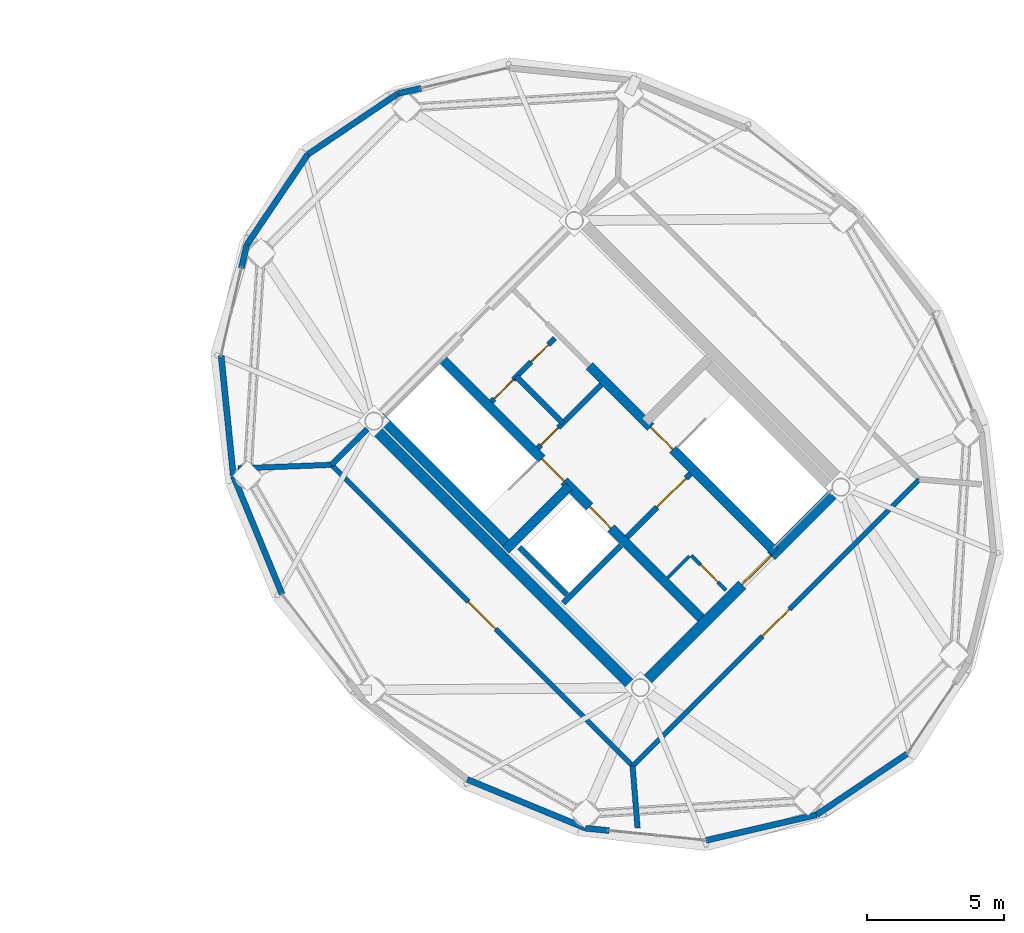
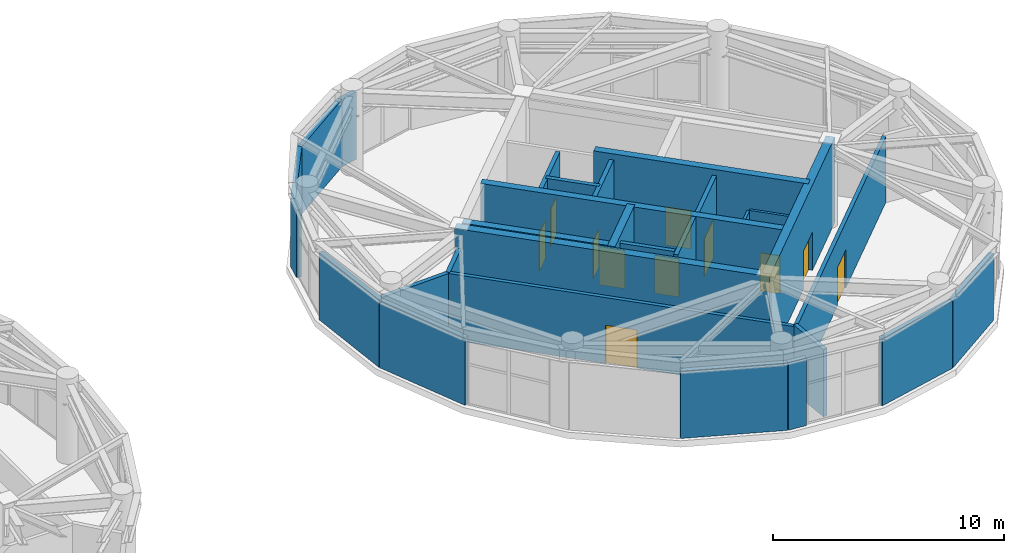
# One storey, part 24 of 26: 29 walls, 11 doors, 11 openings.
"""IFC4 building model written with IfcOpenShell, lengths in metres."""

from ifc_helpers import new_model, si_unit, direction, frame, frame_2d, origin, place, context, subcontext, project, spatial, rectangle, extrude, source, transform, mapped, material, layer, layer_set, type_object, element, fill, save


model = new_model("IFC4")

# Units and contexts
model_context = context("Model", 3, precision=1e-05, world=origin(), true_north=direction((0.0, 1.0)))
body_context = subcontext(model_context, "Body", "Model", "MODEL_VIEW")
ifc_project = project(units=[si_unit("LENGTHUNIT", "METRE"), si_unit("AREAUNIT", "SQUARE_METRE"), si_unit("VOLUMEUNIT", "CUBIC_METRE"), si_unit("PLANEANGLEUNIT", "RADIAN"), si_unit("MASSUNIT", "GRAM", prefix="KILO")], contexts=[model_context])

# Site, building, storey
site_placement = place(None, origin())
site = spatial("IfcSite", under=ifc_project, at=site_placement, CompositionType="ELEMENT")
building_placement = place(site_placement, origin())
building = spatial("IfcBuilding", under=site, at=building_placement, Name="Cununo Teusaquillo Station Towers", CompositionType="ELEMENT")
storey_placement = place(building_placement, frame((0.0, 0.0, 240.330078125)))
storey = spatial("IfcBuildingStorey", under=building, at=storey_placement, Name="L76", CompositionType="ELEMENT", Elevation=240.330078125)

# Walls
ifc_material_1 = material(Name="Concrete C50/60", Category="concrete")
ifc_layer_1 = layer(ifc_material_1, 0.199951171875)
ifc_layer_set_1 = layer_set([ifc_layer_1], Name="Concrete C50/60")
wall_type_1 = type_object("IfcWallType", Name="WL-CORE-200", PredefinedType="SHEAR", material=ifc_layer_set_1)
wall_1_placement = place(storey_placement, frame((55.8876953125, 19.0693359375, 0.0), z_axis=(0.0, 0.0, 1.0), x_axis=(0.707106781187, 0.707106781187, 0.0)))
element("IfcWall", 1, at=wall_1_placement, inside=storey, type_object=wall_type_1, Name="L76 Tower B Firefighting Lift Shaft South Shear Wall", PredefinedType="SHEAR", context=body_context, shape_type="SweptSolid", body=[
    extrude(rectangle(XDim=2.969970703125, YDim=0.199951171875, at=frame_2d((1.48486328125, 0.0))), origin(), (0.0, 0.0, 1.0), 4.5),
])
wall_2_placement = place(storey_placement, frame((56.01513671875, 19.366455078125, 0.0), z_axis=(0.0, 0.0, 1.0), x_axis=(-0.707106781187, 0.707106781187, 0.0)))
element("IfcWall", 2, at=wall_2_placement, inside=storey, type_object=wall_type_1, Name="L76 Tower B Firefighting Lift Shaft Rear Shear Wall", PredefinedType="SHEAR", context=body_context, shape_type="SweptSolid", body=[
    extrude(rectangle(XDim=2.43994140625, YDim=0.199951171875, at=frame_2d((1.219970703125, 0.0))), origin(), (0.0, 0.0, 1.0), 4.5),
])

# Wall, openings, doors
ifc_material_2 = material(Name="Concrete C50/60", Category="concrete")
ifc_layer_2 = layer(ifc_material_2, 0.35009765625)
ifc_layer_set_2 = layer_set([ifc_layer_2], Name="Concrete C50/60")
wall_type_2 = type_object("IfcWallType", Name="WL-CORE-350", PredefinedType="SHEAR", material=ifc_layer_set_2)
wall_3_placement = place(storey_placement, frame((61.060302734375, 18.372802734375, 0.0), z_axis=(0.0, 0.0, 1.0), x_axis=(-0.707106781187, 0.707106781187, 0.0)))
wall_3 = element("IfcWall", 3, at=wall_3_placement, inside=storey, type_object=wall_type_2, Name="L76 Tower B Core Shear Wall IW", PredefinedType="SHEAR", context=body_context, shape_type="SweptSolid", body=[
    extrude(rectangle(XDim=13.7001953125, YDim=0.35009765625, at=frame_2d((6.85009765625, 0.0))), origin(), (0.0, 0.0, 1.0), 4.5),
])
shared_shape_1 = source(origin(), body_context, "Body", "SweptSolid", [
    extrude(rectangle(XDim=1.10009765625, YDim=2.014892578125, at=frame_2d((0.550048828125, 1.00732421875))), frame((0.0, 0.18505859375, 0.0), z_axis=(0.0, -1.0, 0.0), x_axis=(1.0, 0.0, 0.0)), (0.0, 0.0, 1.0), 0.3701171875),
])
opening_1_placement = place(wall_3_placement, frame((4.85009765625, 0.0, 0.0)))
opening_1 = element("IfcOpeningElement", 4, at=opening_1_placement, cuts=wall_3, Name="Opening LD-01", PredefinedType="OPENING", context=body_context, shape_type="MappedRepresentation", body=[
    mapped(shared_shape_1, transform((0.0, 0.0, 0.0), x_axis=(1.0, 0.0, 0.0), y_axis=(0.0, 1.0, 0.0), z_axis=(0.0, 0.0, 1.0), scale=1.0)),
])
shared_shape_2 = source(origin(), body_context, "Body", "SweptSolid", [
    extrude(rectangle(XDim=1.14990234375, YDim=2.02001953125, at=frame_2d((0.574951171875, 1.010009765625))), frame((0.0, 0.18505859375, 0.0), z_axis=(0.0, -1.0, 0.0), x_axis=(1.0, 0.0, 0.0)), (0.0, 0.0, 1.0), 0.3701171875),
])
opening_2_placement = place(wall_3_placement, frame((7.27001953125, 0.0, 0.0)))
opening_2 = element("IfcOpeningElement", 5, at=opening_2_placement, cuts=wall_3, Name="Opening D-ST1", PredefinedType="OPENING", context=body_context, shape_type="MappedRepresentation", body=[
    mapped(shared_shape_2, transform((0.0, 0.0, 0.0), x_axis=(1.0, 0.0, 0.0), y_axis=(0.0, 1.0, 0.0), z_axis=(0.0, 0.0, 1.0), scale=1.0)),
])
ifc_material_3 = material(Name="Galvanised fire-rated hollow steel door assembly", Category="steel")
door_type_1 = type_object("IfcDoorType", Name="DR-LIFT-1100", OperationType="SLIDING_TO_LEFT", PredefinedType="DOOR", material=ifc_material_3)
shared_shape_3 = source(origin(), body_context, "Body", "SweptSolid", [
    extrude(rectangle(XDim=1.10009765625, YDim=2.014892578125, at=frame_2d((0.550048828125, 1.00732421875))), frame((0.0, 0.02490234375, 0.0), z_axis=(0.0, -1.0, 0.0), x_axis=(1.0, 0.0, 0.0)), (0.0, 0.0, 1.0), 0.050048828125),
])
door_1_placement = place(opening_1_placement, origin())
door_1 = element("IfcDoor", 6, at=door_1_placement, inside=storey, type_object=door_type_1, Name="L76 Lift FL-T2 Sliding Landing Door", OperationType="SLIDING_TO_RIGHT", OverallHeight=2.014892578125, OverallWidth=1.10009765625, PredefinedType="DOOR", context=body_context, shape_type="MappedRepresentation", body=[
    mapped(shared_shape_3, transform((0.0, 0.0, 0.0), x_axis=(1.0, 0.0, 0.0), y_axis=(0.0, 1.0, 0.0), z_axis=(0.0, 0.0, 1.0), scale=1.0)),
])
fill(opening_1, door_1)
ifc_material_4 = material(Name="Galvanised fire-rated hollow steel door assembly", Category="steel")
door_type_2 = type_object("IfcDoorType", Name="DR-STAIR-1150", OperationType="NOTDEFINED", PredefinedType="DOOR", material=ifc_material_4)
shared_shape_4 = source(origin(), body_context, "Body", "SweptSolid", [
    extrude(rectangle(XDim=1.14990234375, YDim=2.02001953125, at=frame_2d((0.574951171875, 1.010009765625))), frame((0.0, 0.02490234375, 0.0), z_axis=(0.0, -1.0, 0.0), x_axis=(1.0, 0.0, 0.0)), (0.0, 0.0, 1.0), 0.050048828125),
])
door_2_placement = place(opening_2_placement, origin())
door_2 = element("IfcDoor", 7, at=door_2_placement, inside=storey, type_object=door_type_2, Name="L76 Tower B Exit Stair 1 Fire Door", OperationType="SINGLE_SWING_RIGHT", OverallHeight=2.02001953125, OverallWidth=1.14990234375, PredefinedType="DOOR", context=body_context, shape_type="MappedRepresentation", body=[
    mapped(shared_shape_4, transform((0.0, 0.0, 0.0), x_axis=(1.0, 0.0, 0.0), y_axis=(0.0, 1.0, 0.0), z_axis=(0.0, 0.0, 1.0), scale=1.0)),
])
fill(opening_2, door_2)

# Wall, opening, door
wall_4_placement = place(storey_placement, frame((63.627197265625, 20.939697265625, 0.0), z_axis=(0.0, 0.0, 1.0), x_axis=(-0.707119496762, 0.707094065383, 0.0)))
wall_4 = element("IfcWall", 8, at=wall_4_placement, inside=storey, type_object=wall_type_2, Name="L76 Tower B Core Shear Wall IE", PredefinedType="SHEAR", context=body_context, shape_type="SweptSolid", body=[
    extrude(rectangle(XDim=9.60009765625, YDim=0.35009765625, at=frame_2d((4.800048828125, 0.0))), origin(), (0.0, 0.0, 1.0), 4.5),
])
opening_3_placement = place(wall_4_placement, frame((5.280029296875, 0.0, 0.0)))
opening_3 = element("IfcOpeningElement", 9, at=opening_3_placement, cuts=wall_4, Name="Opening D-ST1", PredefinedType="OPENING", context=body_context, shape_type="MappedRepresentation", body=[
    mapped(shared_shape_2, transform((0.0, 0.0, 0.0), x_axis=(1.0, 0.0, 0.0), y_axis=(0.0, 1.0, 0.0), z_axis=(0.0, 0.0, 1.0), scale=1.0)),
])
door_3_placement = place(opening_3_placement, origin())
door_3 = element("IfcDoor", 10, at=door_3_placement, inside=storey, type_object=door_type_2, Name="L76 Tower B Exit Stair 2 Fire Door", OperationType="SINGLE_SWING_LEFT", OverallHeight=2.02001953125, OverallWidth=1.14990234375, PredefinedType="DOOR", context=body_context, shape_type="MappedRepresentation", body=[
    mapped(shared_shape_4, transform((0.0, 0.0, 0.0), x_axis=(1.0, 0.0, 0.0), y_axis=(0.0, 1.0, 0.0), z_axis=(0.0, 0.0, 1.0), scale=1.0)),
])
fill(opening_3, door_3)

# Walls
wall_5_placement = place(storey_placement, frame((53.922119140625, 21.14111328125, 0.0), z_axis=(0.0, 0.0, 1.0), x_axis=(-0.707106781187, 0.707106781187, 0.0)))
element("IfcWall", 11, at=wall_5_placement, inside=storey, type_object=wall_type_2, Name="L76 Tower B Core Shear Wall ST1W", PredefinedType="SHEAR", context=body_context, shape_type="SweptSolid", body=[
    extrude(rectangle(XDim=6.695068359375, YDim=0.35009765625, at=frame_2d((3.34765625, 0.0))), origin(), (0.0, 0.0, 1.0), 4.5),
])
wall_6_placement = place(storey_placement, frame((53.7841796875, 21.00341796875, 0.0), z_axis=(0.0, 0.0, 1.0), x_axis=(0.707106781187, 0.707106781187, 0.0)))
element("IfcWall", 12, at=wall_6_placement, inside=storey, type_object=wall_type_2, Name="L76 Tower B Core Shear Wall ST1S", PredefinedType="SHEAR", context=body_context, shape_type="SweptSolid", body=[
    extrude(rectangle(XDim=3.284912109375, YDim=0.35009765625, at=frame_2d((1.642578125, 0.0))), origin(), (0.0, 0.0, 1.0), 4.5),
])
ifc_material_5 = material(Name="Concrete C50/60", Category="concrete")
ifc_layer_3 = layer(ifc_material_5, 0.39990234375)
ifc_layer_set_3 = layer_set([ifc_layer_3], Name="Concrete C50/60")
wall_type_3 = type_object("IfcWallType", Name="WL-CORE-400", PredefinedType="SHEAR", material=ifc_layer_set_3)
wall_7_placement = place(storey_placement, frame((58.7021484375, 15.73193359375, 0.0), z_axis=(0.0, 0.0, 1.0), x_axis=(-0.707106781187, 0.707106781187, 0.0)))
element("IfcWall", 13, at=wall_7_placement, inside=storey, type_object=wall_type_3, Name="L76 Tower B Core Shear Wall W", PredefinedType="SHEAR", context=body_context, shape_type="SweptSolid", body=[
    extrude(rectangle(XDim=14.10009765625, YDim=0.39990234375, at=frame_2d((7.050048828125, 0.0))), origin(), (0.0, 0.0, 1.0), 4.5),
])

# Wall, opening, door
wall_8_placement = place(storey_placement, frame((58.560791015625, 15.873291015625, 0.0), z_axis=(0.0, 0.0, 1.0), x_axis=(0.707106781187, 0.707106781187, 0.0)))
wall_8 = element("IfcWall", 14, at=wall_8_placement, inside=storey, type_object=wall_type_3, Name="L76 Tower B Core Shear Wall S", PredefinedType="SHEAR", context=body_context, shape_type="SweptSolid", body=[
    extrude(rectangle(XDim=10.69970703125, YDim=0.39990234375, at=frame_2d((5.349853515625, 0.0))), origin(), (0.0, 0.0, 1.0), 4.5),
])
shared_shape_5 = source(origin(), body_context, "Body", "SweptSolid", [
    extrude(rectangle(XDim=1.5, YDim=2.02001953125, at=frame_2d((0.75, 1.010009765625))), frame((0.0, 0.2099609375, 0.0), z_axis=(0.0, -1.0, 0.0), x_axis=(1.0, 0.0, 0.0)), (0.0, 0.0, 1.0), 0.419921875),
])
opening_4_placement = place(wall_8_placement, frame((5.449951171875, 0.0, 0.0)))
opening_4 = element("IfcOpeningElement", 15, at=opening_4_placement, cuts=wall_8, Name="Opening D-LB1", PredefinedType="OPENING", context=body_context, shape_type="MappedRepresentation", body=[
    mapped(shared_shape_5, transform((0.0, 0.0, 0.0), x_axis=(1.0, 0.0, 0.0), y_axis=(0.0, 1.0, 0.0), z_axis=(0.0, 0.0, 1.0), scale=1.0)),
])
ifc_material_6 = material(Name="Galvanised fire-rated hollow steel door assembly", Category="steel")
door_type_3 = type_object("IfcDoorType", Name="DR-LOBBY-1500", OperationType="DOUBLE_DOOR_SINGLE_SWING", PredefinedType="DOOR", material=ifc_material_6)
shared_shape_6 = source(origin(), body_context, "Body", "SweptSolid", [
    extrude(rectangle(XDim=1.5, YDim=2.02001953125, at=frame_2d((0.75, 1.010009765625))), frame((0.0, 0.02490234375, 0.0), z_axis=(0.0, -1.0, 0.0), x_axis=(1.0, 0.0, 0.0)), (0.0, 0.0, 1.0), 0.050048828125),
])
door_4_placement = place(opening_4_placement, origin())
door_4 = element("IfcDoor", 16, at=door_4_placement, inside=storey, type_object=door_type_3, Name="L76 Tower B South Core Lift Lobby Door", OperationType="DOUBLE_DOOR_SINGLE_SWING", OverallHeight=2.02001953125, OverallWidth=1.5, PredefinedType="DOOR", context=body_context, shape_type="MappedRepresentation", body=[
    mapped(shared_shape_6, transform((0.0, 0.0, 0.0), x_axis=(1.0, 0.0, 0.0), y_axis=(0.0, 1.0, 0.0), z_axis=(0.0, 0.0, 1.0), scale=1.0)),
])
fill(opening_4, door_4)

# Walls
ifc_material_7 = material(Name="Precast concrete C40/50", Category="concrete")
ifc_layer_4 = layer(ifc_material_7, 0.219970703125)
ifc_layer_set_4 = layer_set([ifc_layer_4], Name="Precast concrete C40/50")
wall_type_4 = type_object("IfcWallType", Name="WL-EXT-220", PredefinedType="SOLIDWALL", material=ifc_layer_set_4)
wall_9_placement = place(storey_placement, frame((49.856201171875, 37.663330078125, 0.0), z_axis=(0.0, 0.0, 1.0), x_axis=(0.974220668664, 0.22559718249, 0.0)))
element("IfcWall", 17, at=wall_9_placement, inside=storey, type_object=wall_type_4, Name="L76 Tower B Crown Drum Pier Cassette C03-PA", PredefinedType="SOLIDWALL", context=body_context, shape_type="SweptSolid", body=[
    extrude(rectangle(XDim=0.8701171875, YDim=0.219970703125, at=frame_2d((0.43505859375, 0.0))), origin(), (0.0, 0.0, 1.0), 3.555908203125),
])
for number, where, z_axis, x_axis, name in (
    (18, (46.56103515625, 35.43896484375, 0.0), (0.0, 0.0, 1.0), (0.828833723692, 0.559495003079, 0.0), "L76 Tower B Crown Drum Spandrel Cassette C04"),
    (19, (44.336669921875, 32.143798828125, 0.0), (0.0, 0.0, 1.0), (0.559495003079, 0.828833723692, 0.0), "L76 Tower B Crown Drum Spandrel Cassette C05"),
):
    element("IfcWall", number, at=place(storey_placement, frame(where, z_axis=z_axis, x_axis=x_axis)), inside=storey, type_object=wall_type_4, Name=name, PredefinedType="SOLIDWALL", context=body_context, shape_type="SweptSolid", body=[
        extrude(rectangle(XDim=3.9755859375, YDim=0.219970703125, at=frame_2d((1.98779296875, 0.0))), origin(), (0.0, 0.0, 1.0), 3.555908203125),
    ])
wall_10_placement = place(storey_placement, frame((44.140380859375, 31.296142578125, 0.0), z_axis=(0.0, 0.0, 1.0), x_axis=(0.22559718249, 0.974220668664, 0.0)))
element("IfcWall", 20, at=wall_10_placement, inside=storey, type_object=wall_type_4, Name="L76 Tower B Crown Drum Pier Cassette C06-PB", PredefinedType="SOLIDWALL", context=body_context, shape_type="SweptSolid", body=[
    extrude(rectangle(XDim=0.8701171875, YDim=0.219970703125, at=frame_2d((0.43505859375, 0.0))), origin(), (0.0, 0.0, 1.0), 3.555908203125),
])
wall_11_placement = place(storey_placement, frame((43.84521484375, 23.70458984375, 0.0), z_axis=(0.0, 0.0, 1.0), x_axis=(-0.100570534541, 0.994929930991, 0.0)))
element("IfcWall", 21, at=wall_11_placement, inside=storey, type_object=wall_type_4, Name="L76 Tower B Crown Drum Spandrel Cassette C07", PredefinedType="SOLIDWALL", context=body_context, shape_type="SweptSolid", body=[
    extrude(rectangle(XDim=4.418212890625, YDim=0.219970703125, at=frame_2d((2.208984375, 0.0))), origin(), (0.0, 0.0, 1.0), 3.555908203125),
])
for number, where, z_axis, x_axis, name in (
    (22, (45.626220703125, 19.38671875, 0.0), (0.0, 0.0, 1.0), (-0.381309704956, 0.924447353237, 0.0), "L76 Tower B Crown Drum Spandrel Cassette C08"),
    (23, (56.70458984375, 10.84521484375, 0.0), (0.0, 0.0, 1.0), (-0.924447353237, 0.381309704956, 0.0), "L76 Tower B Crown Drum Spandrel Cassette C11"),
):
    element("IfcWall", number, at=place(storey_placement, frame(where, z_axis=z_axis, x_axis=x_axis)), inside=storey, type_object=wall_type_4, Name=name, PredefinedType="SOLIDWALL", context=body_context, shape_type="SweptSolid", body=[
        extrude(rectangle(XDim=4.670654296875, YDim=0.219970703125, at=frame_2d((2.33544921875, 0.0))), origin(), (0.0, 0.0, 1.0), 3.555908203125),
    ])
wall_12_placement = place(storey_placement, frame((57.5703125, 10.757568359375, 0.0), z_axis=(0.0, 0.0, 1.0), x_axis=(-0.994914209363, 0.100725945054, 0.0)))
element("IfcWall", 24, at=wall_12_placement, inside=storey, type_object=wall_type_4, Name="L76 Tower B Crown Drum Pier Cassette C12-PB", PredefinedType="SOLIDWALL", context=body_context, shape_type="SweptSolid", body=[
    extrude(rectangle(XDim=0.8701171875, YDim=0.219970703125, at=frame_2d((0.43505859375, 0.0))), origin(), (0.0, 0.0, 1.0), 3.555908203125),
])
wall_13_placement = place(storey_placement, frame((65.143798828125, 11.336669921875, 0.0), z_axis=(0.0, 0.0, 1.0), x_axis=(-0.974249228678, -0.225473813158, 0.0)))
element("IfcWall", 25, at=wall_13_placement, inside=storey, type_object=wall_type_4, Name="L76 Tower B Crown Drum Spandrel Cassette C13", PredefinedType="SOLIDWALL", context=body_context, shape_type="SweptSolid", body=[
    extrude(rectangle(XDim=4.150390625, YDim=0.219970703125, at=frame_2d((2.0751953125, 0.0))), origin(), (0.0, 0.0, 1.0), 3.555908203125),
])
wall_14_placement = place(storey_placement, frame((68.43896484375, 13.56103515625, 0.0), z_axis=(0.0, 0.0, 1.0), x_axis=(-0.828833723692, -0.559495003079, 0.0)))
element("IfcWall", 26, at=wall_14_placement, inside=storey, type_object=wall_type_4, Name="L76 Tower B Crown Drum Spandrel Cassette C14", PredefinedType="SOLIDWALL", context=body_context, shape_type="SweptSolid", body=[
    extrude(rectangle(XDim=3.9755859375, YDim=0.219970703125, at=frame_2d((1.98779296875, 0.0))), origin(), (0.0, 0.0, 1.0), 3.555908203125),
])

# Wall, opening, door
ifc_material_8 = material(Name="Fire-rated gypsum plasterboard partition assembly", Category="gypsum")
ifc_layer_5 = layer(ifc_material_8, 0.125)
ifc_layer_set_5 = layer_set([ifc_layer_5], Name="Fire-rated gypsum plasterboard partition assembly")
wall_type_5 = type_object("IfcWallType", Name="WL-PART-125", PredefinedType="PARTITIONING", material=ifc_layer_set_5)
wall_15_placement = place(storey_placement, frame((61.834716796875, 19.529052734375, 0.0), z_axis=(0.0, 0.0, 1.0), x_axis=(-0.707174592913, 0.707038962956, 0.0)))
wall_15 = element("IfcWall", 27, at=wall_15_placement, inside=storey, type_object=wall_type_5, Name="L76 Tower B South-West Compact Store East Wall", PredefinedType="PARTITIONING", context=body_context, shape_type="SweptSolid", body=[
    extrude(rectangle(XDim=1.800048828125, YDim=0.125, at=frame_2d((0.89990234375, 0.0))), origin(), (0.0, 0.0, 1.0), 4.184814453125),
])
shared_shape_7 = source(origin(), body_context, "Body", "SweptSolid", [
    extrude(rectangle(XDim=0.89990234375, YDim=2.0048828125, at=frame_2d((0.449951171875, 1.00244140625))), frame((0.0, 0.072509765625, 0.0), z_axis=(0.0, -1.0, 0.0), x_axis=(1.0, 0.0, 0.0)), (0.0, 0.0, 1.0), 0.14501953125),
])
opening_5_placement = place(wall_15_placement, frame((0.419921875, 0.0, 0.0)))
opening_5 = element("IfcOpeningElement", 28, at=opening_5_placement, cuts=wall_15, Name="Opening D-SR1", PredefinedType="OPENING", context=body_context, shape_type="MappedRepresentation", body=[
    mapped(shared_shape_7, transform((0.0, 0.0, 0.0), x_axis=(1.0, 0.0, 0.0), y_axis=(0.0, 1.0, 0.0), z_axis=(0.0, 0.0, 1.0), scale=1.0)),
])
ifc_material_9 = material(Name="Galvanised fire-rated hollow steel door assembly", Category="steel")
door_type_4 = type_object("IfcDoorType", Name="DR-STORE-900", OperationType="NOTDEFINED", PredefinedType="DOOR", material=ifc_material_9)
shared_shape_8 = source(origin(), body_context, "Body", "SweptSolid", [
    extrude(rectangle(XDim=0.89990234375, YDim=2.0048828125, at=frame_2d((0.449951171875, 1.00244140625))), frame((0.0, 0.02490234375, 0.0), z_axis=(0.0, -1.0, 0.0), x_axis=(1.0, 0.0, 0.0)), (0.0, 0.0, 1.0), 0.050048828125),
])
door_5_placement = place(opening_5_placement, origin())
door_5 = element("IfcDoor", 29, at=door_5_placement, inside=storey, type_object=door_type_4, Name="L76 Tower B Core Electrical & Comms Store Door", OperationType="SINGLE_SWING_RIGHT", OverallHeight=2.0048828125, OverallWidth=0.89990234375, PredefinedType="DOOR", context=body_context, shape_type="MappedRepresentation", body=[
    mapped(shared_shape_8, transform((0.0, 0.0, 0.0), x_axis=(1.0, 0.0, 0.0), y_axis=(0.0, 1.0, 0.0), z_axis=(0.0, 0.0, 1.0), scale=1.0)),
])
fill(opening_5, door_5)

# Wall
wall_16_placement = place(storey_placement, frame((59.713134765625, 19.99560546875, 0.0), z_axis=(0.0, 0.0, 1.0), x_axis=(0.707217726, 0.706995818963, 0.0)))
element("IfcWall", 30, at=wall_16_placement, inside=storey, type_object=wall_type_5, Name="L76 Tower B South-West Compact Store North Wall", PredefinedType="PARTITIONING", context=body_context, shape_type="SweptSolid", body=[
    extrude(rectangle(XDim=1.10009765625, YDim=0.125, at=frame_2d((0.550048828125, 0.0))), origin(), (0.0, 0.0, 1.0), 4.184814453125),
])

# Wall, opening, door
ifc_material_10 = material(Name="Fire-rated gypsum plasterboard partition assembly", Category="gypsum")
ifc_layer_6 = layer(ifc_material_10, 0.179931640625)
ifc_layer_set_6 = layer_set([ifc_layer_6], Name="Fire-rated gypsum plasterboard partition assembly")
wall_type_6 = type_object("IfcWallType", Name="WL-PART-180", PredefinedType="PARTITIONING", material=ifc_layer_set_6)
wall_17_placement = place(storey_placement, frame((58.419189453125, 13.115478515625, 0.0), z_axis=(0.0, 0.0, 1.0), x_axis=(0.707106781187, 0.707106781187, 0.0)))
wall_17 = element("IfcWall", 31, at=wall_17_placement, inside=storey, type_object=wall_type_6, Name="L76 Tower B Crown Corridor Wall S", PredefinedType="PARTITIONING", context=body_context, shape_type="SweptSolid", body=[
    extrude(rectangle(XDim=14.80029296875, YDim=0.179931640625, at=frame_2d((7.400146484375, 0.0))), origin(), (0.0, 0.0, 1.0), 3.475830078125),
])
shared_shape_9 = source(origin(), body_context, "Body", "SweptSolid", [
    extrude(rectangle(XDim=1.39990234375, YDim=2.02001953125, at=frame_2d((0.699951171875, 1.010009765625))), frame((0.0, 0.099853515625, 0.0), z_axis=(0.0, -1.0, 0.0), x_axis=(1.0, 0.0, 0.0)), (0.0, 0.0, 1.0), 0.199951171875),
])
opening_6_placement = place(wall_17_placement, frame((6.699951171875, 0.0, 0.0)))
opening_6 = element("IfcOpeningElement", 32, at=opening_6_placement, cuts=wall_17, Name="Opening D-PL1", PredefinedType="OPENING", context=body_context, shape_type="MappedRepresentation", body=[
    mapped(shared_shape_9, transform((0.0, 0.0, 0.0), x_axis=(1.0, 0.0, 0.0), y_axis=(0.0, 1.0, 0.0), z_axis=(0.0, 0.0, 1.0), scale=1.0)),
])
ifc_material_11 = material(Name="Galvanised fire-rated hollow steel door assembly", Category="steel")
door_type_5 = type_object("IfcDoorType", Name="DR-PLANT-1400", OperationType="NOTDEFINED", PredefinedType="DOOR", material=ifc_material_11)
shared_shape_10 = source(origin(), body_context, "Body", "SweptSolid", [
    extrude(rectangle(XDim=1.39990234375, YDim=2.02001953125, at=frame_2d((0.699951171875, 1.010009765625))), frame((0.0, 0.02490234375, 0.0), z_axis=(0.0, -1.0, 0.0), x_axis=(1.0, 0.0, 0.0)), (0.0, 0.0, 1.0), 0.050048828125),
])
door_6_placement = place(opening_6_placement, origin())
door_6 = element("IfcDoor", 33, at=door_6_placement, inside=storey, type_object=door_type_5, Name="L76 Tower B Crown Room S Double Door", OperationType="SINGLE_SWING_LEFT", OverallHeight=2.02001953125, OverallWidth=1.39990234375, PredefinedType="DOOR", context=body_context, shape_type="MappedRepresentation", body=[
    mapped(shared_shape_10, transform((0.0, 0.0, 0.0), x_axis=(1.0, 0.0, 0.0), y_axis=(0.0, 1.0, 0.0), z_axis=(0.0, 0.0, 1.0), scale=1.0)),
])
fill(opening_6, door_6)

wall_18_placement = place(storey_placement, frame((58.419189453125, 13.115478515625, 0.0), z_axis=(0.0, 0.0, 1.0), x_axis=(-0.707106781187, 0.707106781187, 0.0)))
wall_18 = element("IfcWall", 34, at=wall_18_placement, inside=storey, type_object=wall_type_6, Name="L76 Tower B Crown Corridor Wall W", PredefinedType="PARTITIONING", context=body_context, shape_type="SweptSolid", body=[
    extrude(rectangle(XDim=15.550048828125, YDim=0.179931640625, at=frame_2d((7.77490234375, 0.0))), origin(), (0.0, 0.0, 1.0), 3.475830078125),
])
opening_7_placement = place(wall_18_placement, frame((7.074951171875, 0.0, 0.0)))
opening_7 = element("IfcOpeningElement", 35, at=opening_7_placement, cuts=wall_18, Name="Opening D-PL1", PredefinedType="OPENING", context=body_context, shape_type="MappedRepresentation", body=[
    mapped(shared_shape_9, transform((0.0, 0.0, 0.0), x_axis=(1.0, 0.0, 0.0), y_axis=(0.0, 1.0, 0.0), z_axis=(0.0, 0.0, 1.0), scale=1.0)),
])
door_7_placement = place(opening_7_placement, origin())
door_7 = element("IfcDoor", 36, at=door_7_placement, inside=storey, type_object=door_type_5, Name="L76 Tower B Crown Room W Double Door", OperationType="SINGLE_SWING_RIGHT", OverallHeight=2.02001953125, OverallWidth=1.39990234375, PredefinedType="DOOR", context=body_context, shape_type="MappedRepresentation", body=[
    mapped(shared_shape_10, transform((0.0, 0.0, 0.0), x_axis=(1.0, 0.0, 0.0), y_axis=(0.0, 1.0, 0.0), z_axis=(0.0, 0.0, 1.0), scale=1.0)),
])
fill(opening_7, door_7)

ifc_material_12 = material(Name="Fire-rated gypsum plasterboard partition assembly", Category="gypsum")
ifc_layer_7 = layer(ifc_material_12, 0.199951171875)
ifc_layer_set_7 = layer_set([ifc_layer_7], Name="Fire-rated gypsum plasterboard partition assembly")
wall_type_7 = type_object("IfcWallType", Name="WL-PART-200", PredefinedType="PARTITIONING", material=ifc_layer_set_7)
wall_19_placement = place(storey_placement, frame((58.214111328125, 21.466552734375, 0.0), z_axis=(0.0, 0.0, 1.0), x_axis=(0.707106781187, 0.707106781187, 0.0)))
wall_19 = element("IfcWall", 37, at=wall_19_placement, inside=storey, type_object=wall_type_7, Name="L76 Tower B Firefighting Lift Lobby South Fire Wall", PredefinedType="PARTITIONING", context=body_context, shape_type="SweptSolid", body=[
    extrude(rectangle(XDim=3.280029296875, YDim=0.199951171875, at=frame_2d((1.64013671875, 0.0))), origin(), (0.0, 0.0, 1.0), 4.184814453125),
])
shared_shape_11 = source(origin(), body_context, "Body", "SweptSolid", [
    extrude(rectangle(XDim=1.5, YDim=2.02001953125, at=frame_2d((0.75, 1.010009765625))), frame((0.0, 0.10986328125, 0.0), z_axis=(0.0, -1.0, 0.0), x_axis=(1.0, 0.0, 0.0)), (0.0, 0.0, 1.0), 0.219970703125),
])
opening_8_placement = place(wall_19_placement, frame((1.550048828125, 0.0, 0.0)))
opening_8 = element("IfcOpeningElement", 38, at=opening_8_placement, cuts=wall_19, Name="Opening D-LB1", PredefinedType="OPENING", context=body_context, shape_type="MappedRepresentation", body=[
    mapped(shared_shape_11, transform((0.0, 0.0, 0.0), x_axis=(1.0, 0.0, 0.0), y_axis=(0.0, 1.0, 0.0), z_axis=(0.0, 0.0, 1.0), scale=1.0)),
])
door_8_placement = place(opening_8_placement, origin())
door_8 = element("IfcDoor", 39, at=door_8_placement, inside=storey, type_object=door_type_3, Name="L76 Tower B Firefighting Lift Lobby South Fire Door", OperationType="DOUBLE_DOOR_SINGLE_SWING", OverallHeight=2.02001953125, OverallWidth=1.5, PredefinedType="DOOR", context=body_context, shape_type="MappedRepresentation", body=[
    mapped(shared_shape_6, transform((0.0, 0.0, 0.0), x_axis=(1.0, 0.0, 0.0), y_axis=(0.0, 1.0, 0.0), z_axis=(0.0, 0.0, 1.0), scale=1.0)),
])
fill(opening_8, door_8)

wall_20_placement = place(storey_placement, frame((54.96142578125, 24.71923828125, 0.0), z_axis=(0.0, 0.0, 1.0), x_axis=(0.707106781187, 0.707106781187, 0.0)))
wall_20 = element("IfcWall", 40, at=wall_20_placement, inside=storey, type_object=wall_type_7, Name="L76 Tower B Firefighting Lift Lobby North Fire Wall", PredefinedType="PARTITIONING", context=body_context, shape_type="SweptSolid", body=[
    extrude(rectangle(XDim=3.280029296875, YDim=0.199951171875, at=frame_2d((1.64013671875, 0.0))), origin(), (0.0, 0.0, 1.0), 4.184814453125),
])
shared_shape_12 = source(origin(), body_context, "Body", "SweptSolid", [
    extrude(rectangle(XDim=0.89990234375, YDim=2.0048828125, at=frame_2d((0.449951171875, 1.00244140625))), frame((0.0, 0.10986328125, 0.0), z_axis=(0.0, -1.0, 0.0), x_axis=(1.0, 0.0, 0.0)), (0.0, 0.0, 1.0), 0.219970703125),
])
opening_9_placement = place(wall_20_placement, frame((0.159912109375, 0.0, 0.0)))
opening_9 = element("IfcOpeningElement", 41, at=opening_9_placement, cuts=wall_20, Name="Opening D-SR1", PredefinedType="OPENING", context=body_context, shape_type="MappedRepresentation", body=[
    mapped(shared_shape_12, transform((0.0, 0.0, 0.0), x_axis=(1.0, 0.0, 0.0), y_axis=(0.0, 1.0, 0.0), z_axis=(0.0, 0.0, 1.0), scale=1.0)),
])
door_9_placement = place(opening_9_placement, origin())
door_9 = element("IfcDoor", 42, at=door_9_placement, inside=storey, type_object=door_type_4, Name="L76 Tower B Stair 1 Protected Vestibule South Door", OperationType="SINGLE_SWING_RIGHT", OverallHeight=2.0048828125, OverallWidth=0.89990234375, PredefinedType="DOOR", context=body_context, shape_type="MappedRepresentation", body=[
    mapped(shared_shape_8, transform((0.0, 0.0, 0.0), x_axis=(1.0, 0.0, 0.0), y_axis=(0.0, 1.0, 0.0), z_axis=(0.0, 0.0, 1.0), scale=1.0)),
])
fill(opening_9, door_9)

# Wall
wall_21_placement = place(storey_placement, frame((55.873779296875, 25.63134765625, 0.0), z_axis=(0.0, 0.0, 1.0), x_axis=(-0.707157639372, 0.707055919343, 0.0)))
element("IfcWall", 43, at=wall_21_placement, inside=storey, type_object=wall_type_7, Name="L76 Tower B Stair 1 Vestibule Partition Wall", PredefinedType="PARTITIONING", context=body_context, shape_type="SweptSolid", body=[
    extrude(rectangle(XDim=2.400146484375, YDim=0.199951171875, at=frame_2d((1.2001953125, 0.0))), origin(), (0.0, 0.0, 1.0), 4.184814453125),
])

# Wall, openings, doors
wall_22_placement = place(storey_placement, frame((53.264404296875, 26.416259765625, 0.0), z_axis=(0.0, 0.0, 1.0), x_axis=(0.707106781187, 0.707106781187, 0.0)))
wall_22 = element("IfcWall", 44, at=wall_22_placement, inside=storey, type_object=wall_type_7, Name="L76 Tower B North Lift Lobby South Fire Wall", PredefinedType="PARTITIONING", context=body_context, shape_type="SweptSolid", body=[
    extrude(rectangle(XDim=3.280029296875, YDim=0.199951171875, at=frame_2d((1.64013671875, 0.0))), origin(), (0.0, 0.0, 1.0), 4.184814453125),
])
shared_shape_13 = source(origin(), body_context, "Body", "SweptSolid", [
    extrude(rectangle(XDim=1.0, YDim=2.014892578125, at=frame_2d((0.5, 1.00732421875))), frame((0.0, 0.10986328125, 0.0), z_axis=(0.0, -1.0, 0.0), x_axis=(1.0, 0.0, 0.0)), (0.0, 0.0, 1.0), 0.219970703125),
])
opening_10_placement = place(wall_22_placement, frame((0.139892578125, 0.0, 0.0)))
opening_10 = element("IfcOpeningElement", 45, at=opening_10_placement, cuts=wall_22, Name="Opening D-AC1", PredefinedType="OPENING", context=body_context, shape_type="MappedRepresentation", body=[
    mapped(shared_shape_13, transform((0.0, 0.0, 0.0), x_axis=(1.0, 0.0, 0.0), y_axis=(0.0, 1.0, 0.0), z_axis=(0.0, 0.0, 1.0), scale=1.0)),
])
opening_11_placement = place(wall_22_placement, frame((2.050048828125, 0.0, 0.0)))
opening_11 = element("IfcOpeningElement", 46, at=opening_11_placement, cuts=wall_22, Name="Opening D-SR1", PredefinedType="OPENING", context=body_context, shape_type="MappedRepresentation", body=[
    mapped(shared_shape_12, transform((0.0, 0.0, 0.0), x_axis=(1.0, 0.0, 0.0), y_axis=(0.0, 1.0, 0.0), z_axis=(0.0, 0.0, 1.0), scale=1.0)),
])
door_10_placement = place(opening_11_placement, origin())
door_10 = element("IfcDoor", 47, at=door_10_placement, inside=storey, type_object=door_type_4, Name="L76 Tower B Core Housekeeping & Linen Store Door", OperationType="SINGLE_SWING_LEFT", OverallHeight=2.0048828125, OverallWidth=0.89990234375, PredefinedType="DOOR", context=body_context, shape_type="MappedRepresentation", body=[
    mapped(shared_shape_8, transform((0.0, 0.0, 0.0), x_axis=(1.0, 0.0, 0.0), y_axis=(0.0, 1.0, 0.0), z_axis=(0.0, 0.0, 1.0), scale=1.0)),
])
fill(opening_11, door_10)
ifc_material_13 = material(Name="Acoustic solid-core hardwood leaf assembly", Category="wood")
door_type_6 = type_object("IfcDoorType", Name="DR-ACC-1000", OperationType="NOTDEFINED", PredefinedType="DOOR", material=ifc_material_13)
shared_shape_14 = source(origin(), body_context, "Body", "SweptSolid", [
    extrude(rectangle(XDim=1.0, YDim=2.014892578125, at=frame_2d((0.5, 1.00732421875))), frame((0.0, 0.02490234375, 0.0), z_axis=(0.0, -1.0, 0.0), x_axis=(1.0, 0.0, 0.0)), (0.0, 0.0, 1.0), 0.050048828125),
])
door_11_placement = place(opening_10_placement, origin())
door_11 = element("IfcDoor", 48, at=door_11_placement, inside=storey, type_object=door_type_6, Name="L76 Tower B North Lift Lobby to Stair 1 Vestibule Door", OperationType="SINGLE_SWING_LEFT", OverallHeight=2.014892578125, OverallWidth=1.0, PredefinedType="DOOR", context=body_context, shape_type="MappedRepresentation", body=[
    mapped(shared_shape_14, transform((0.0, 0.0, 0.0), x_axis=(1.0, 0.0, 0.0), y_axis=(0.0, 1.0, 0.0), z_axis=(0.0, 0.0, 1.0), scale=1.0)),
])
fill(opening_10, door_11)

# Walls
wall_23_placement = place(storey_placement, frame((47.423583984375, 24.111083984375, 0.0), z_axis=(0.0, 0.0, 1.0), x_axis=(0.707172758026, 0.707040798191, 0.0)))
element("IfcWall", 49, at=wall_23_placement, inside=storey, type_object=wall_type_7, Name="L76 Tower B Crown North Hall Wall NW", PredefinedType="PARTITIONING", context=body_context, shape_type="SweptSolid", body=[
    extrude(rectangle(XDim=1.85009765625, YDim=0.199951171875, at=frame_2d((0.925048828125, 0.0))), origin(), (0.0, 0.0, 1.0), 3.475830078125),
])
wall_24_placement = place(storey_placement, frame((47.423583984375, 24.111083984375, 0.0), z_axis=(0.0, 0.0, 1.0), x_axis=(-0.999254494259, -0.038606420501, 0.0)))
element("IfcWall", 50, at=wall_24_placement, inside=storey, type_object=wall_type_7, Name="L76 Tower B Crown Radial Wall Q1", PredefinedType="PARTITIONING", context=body_context, shape_type="SweptSolid", body=[
    extrude(rectangle(XDim=3.408447265625, YDim=0.199951171875, at=frame_2d((1.7041015625, 0.0))), origin(), (0.0, 0.0, 1.0), 3.475830078125),
])
wall_25_placement = place(storey_placement, frame((58.419189453125, 13.115478515625, 0.0), z_axis=(0.0, 0.0, 1.0), x_axis=(0.080501307187, -0.996754503146, 0.0)))
element("IfcWall", 51, at=wall_25_placement, inside=storey, type_object=wall_type_7, Name="L76 Tower B Crown Radial Wall Q4", PredefinedType="PARTITIONING", context=body_context, shape_type="SweptSolid", body=[
    extrude(rectangle(XDim=2.271484375, YDim=0.199951171875, at=frame_2d((1.1357421875, 0.0))), origin(), (0.0, 0.0, 1.0), 3.555908203125),
])

save(model, "model.ifc")
